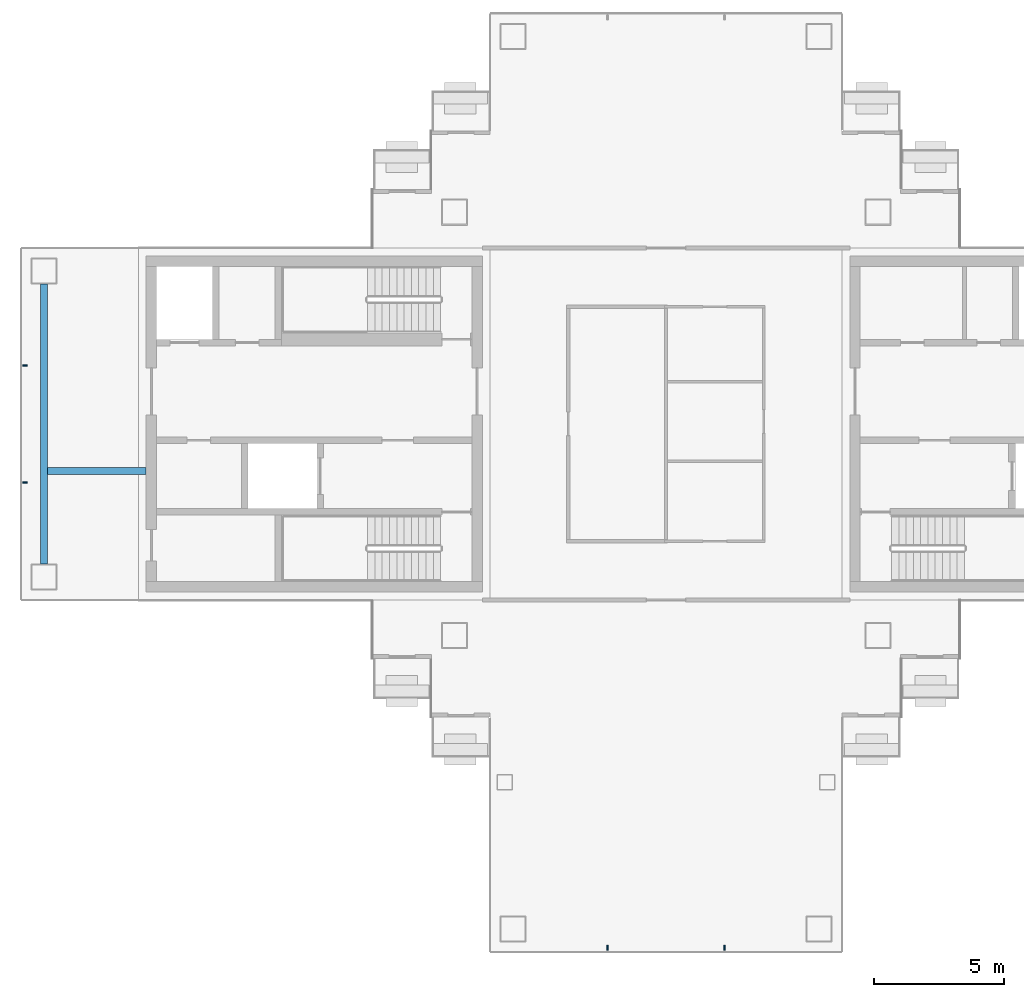
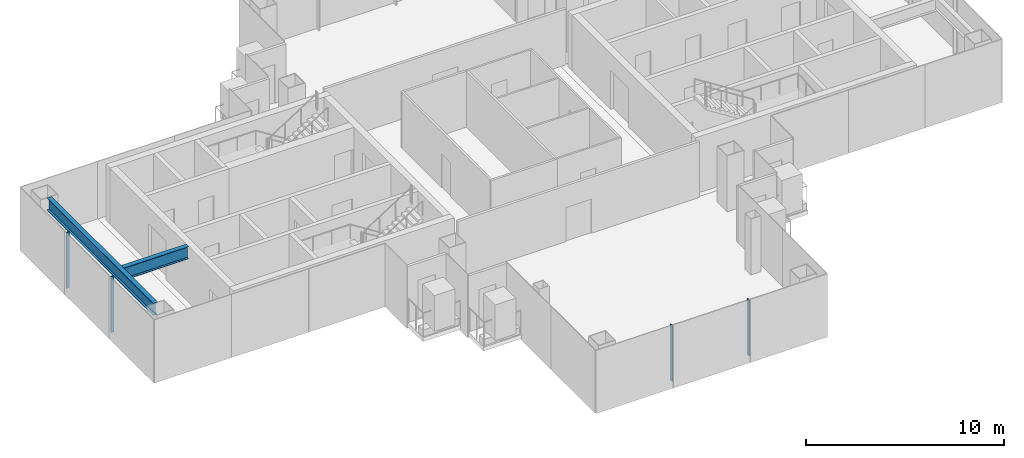
# One storey, part 3 of 17: 4 members, 2 beams, 2 elements without a shape of their own.
"""IFC4 building model written with IfcOpenShell, lengths in metres."""

from ifc_helpers import new_model, si_unit, direction, frame, origin, origin_2d, place, context, subcontext, project, spatial, rectangle, i_section, extrude, material, layer, layer_set, material_profile, profile_set, type_object, element, aggregate, save


model = new_model("IFC4")

# Units and contexts
model_context = context("Model", 3, precision=1e-05, world=origin(), true_north=direction((0.0, 1.0)))
body_context = subcontext(model_context, "Body", "Model", "MODEL_VIEW")
ifc_project = project(units=[si_unit("LENGTHUNIT", "METRE"), si_unit("AREAUNIT", "SQUARE_METRE"), si_unit("VOLUMEUNIT", "CUBIC_METRE"), si_unit("PLANEANGLEUNIT", "RADIAN"), si_unit("MASSUNIT", "GRAM", prefix="KILO")], contexts=[model_context])

# Site, building, storey
site_placement = place(None, origin())
site = spatial("IfcSite", under=ifc_project, at=site_placement, CompositionType="ELEMENT")
building_placement = place(site_placement, origin())
building = spatial("IfcBuilding", under=site, at=building_placement, Name="Shamsa Quay Exchange Towers", CompositionType="ELEMENT")
storey_placement = place(building_placement, frame((0.0, 0.0, 221.699951171875)))
storey = spatial("IfcBuildingStorey", under=building, at=storey_placement, Name="L53", CompositionType="ELEMENT", Elevation=221.699951171875)

# Curtain wall, members
ifc_material_1 = material(Name="Aluminium EN AW-6063 T6, black anodised", Category="aluminium")
ifc_layer = layer(ifc_material_1, 0.280029296875)
ifc_layer_set = layer_set([ifc_layer], Name="CW-1 UNITISED VISION GLASS")
curtain_wall_type = type_object("IfcCurtainWallType", Name="CW-1 UNITISED VISION GLASS", PredefinedType="NOTDEFINED", material=ifc_layer_set)
curtain_wall_1_placement = place(storey_placement, origin())
curtain_wall_1 = element("IfcCurtainWall", 1, at=curtain_wall_1_placement, inside=storey, type_object=curtain_wall_type, Name="CW1 T1-END-V- L53", PredefinedType="NOTDEFINED")
ifc_material_profile_1 = material_profile(ifc_material_1, rectangle(XDim=0.179931640625, YDim=0.06005859375, at=origin_2d()), Name="MU60x180")
ifc_profile_set_1 = profile_set([ifc_material_profile_1], Name="Aluminium EN AW-6063 T6, black anodised")
member_type = type_object("IfcMemberType", Name="CW1 MULLION 60x180", PredefinedType="MULLION", material=ifc_profile_set_1)
member_1_placement = place(storey_placement, frame((-36.0, -20.10009765625, 0.0), z_axis=(0.0, 0.0, 1.0), x_axis=(0.0, 1.0, 0.0)))
member_1 = element("IfcMember", 2, at=member_1_placement, type_object=member_type, Name="CW1 mullion", PredefinedType="MULLION", context=body_context, shape_type="SweptSolid", body=[
    extrude(rectangle(XDim=0.179931640625, YDim=0.06005859375, at=origin_2d()), origin(), (0.0, 0.0, 1.0), 3.449951171875),
])
member_2_placement = place(storey_placement, frame((-31.5, -20.10009765625, 0.0), z_axis=(0.0, 0.0, 1.0), x_axis=(0.0, 1.0, 0.0)))
member_2 = element("IfcMember", 3, at=member_2_placement, type_object=member_type, Name="CW1 mullion", PredefinedType="MULLION", context=body_context, shape_type="SweptSolid", body=[
    extrude(rectangle(XDim=0.179931640625, YDim=0.06005859375, at=origin_2d()), origin(), (0.0, 0.0, 1.0), 3.449951171875),
])
aggregate(curtain_wall_1, [member_1, member_2])

curtain_wall_2_placement = place(storey_placement, origin())
curtain_wall_2 = element("IfcCurtainWall", 4, at=curtain_wall_2_placement, inside=storey, type_object=curtain_wall_type, Name="CW1 T1-END-U- L53", PredefinedType="NOTDEFINED")
member_3_placement = place(storey_placement, frame((-58.35009765625, 2.25, 0.0)))
member_3 = element("IfcMember", 5, at=member_3_placement, type_object=member_type, Name="CW1 mullion", PredefinedType="MULLION", context=body_context, shape_type="SweptSolid", body=[
    extrude(rectangle(XDim=0.179931640625, YDim=0.06005859375, at=origin_2d()), origin(), (0.0, 0.0, 1.0), 3.449951171875),
])
member_4_placement = place(storey_placement, frame((-58.35009765625, -2.25, 0.0)))
member_4 = element("IfcMember", 6, at=member_4_placement, type_object=member_type, Name="CW1 mullion", PredefinedType="MULLION", context=body_context, shape_type="SweptSolid", body=[
    extrude(rectangle(XDim=0.179931640625, YDim=0.06005859375, at=origin_2d()), origin(), (0.0, 0.0, 1.0), 3.449951171875),
])
aggregate(curtain_wall_2, [member_3, member_4])

# Beams
ifc_material_2 = material(Name="Steel S355", Category="steel")
ifc_material_profile_2 = material_profile(ifc_material_2, i_section(OverallWidth=0.26611328125, OverallDepth=0.7578125, WebThickness=0.013916015625, FlangeThickness=0.019287109375, at=origin_2d()), Name="W30x108")
ifc_profile_set_2 = profile_set([ifc_material_profile_2], Name="Steel S355")
beam_type = type_object("IfcBeamType", Name="End-zone beam W30x108", PredefinedType="BEAM", material=ifc_profile_set_2)
beam_1_placement = place(storey_placement, frame((-57.625, -5.375, 3.0712890625), z_axis=(0.0, 1.0, 0.0), x_axis=(-1.0, 0.0, 0.0)))
element("IfcBeam", 7, at=beam_1_placement, inside=storey, type_object=beam_type, Name="End beam T1 U- end zone L53", PredefinedType="BEAM", context=body_context, shape_type="SweptSolid", body=[
    extrude(i_section(OverallWidth=0.26611328125, OverallDepth=0.7578125, WebThickness=0.013916015625, FlangeThickness=0.019287109375, at=origin_2d()), origin(), (0.0, 0.0, 1.0), 10.75),
])
beam_2_placement = place(storey_placement, frame((-53.699951171875, -1.800048828125, 3.0712890625), z_axis=(-1.0, 0.0, 0.0), x_axis=(0.0, -1.0, 0.0)))
element("IfcBeam", 8, at=beam_2_placement, inside=storey, type_object=beam_type, Name="Spine beam T1 U- end zone L53", PredefinedType="BEAM", context=body_context, shape_type="SweptSolid", body=[
    extrude(i_section(OverallWidth=0.26611328125, OverallDepth=0.7578125, WebThickness=0.013916015625, FlangeThickness=0.019287109375, at=origin_2d()), origin(), (0.0, 0.0, 1.0), 3.7919921875),
])

save(model, "model.ifc")
